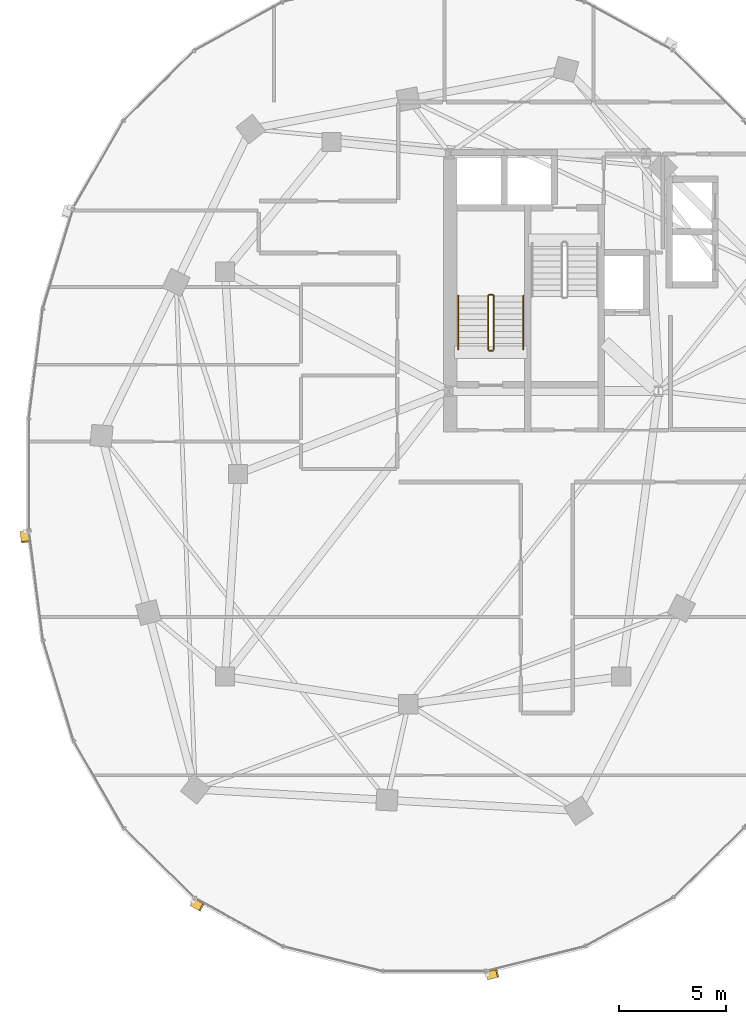
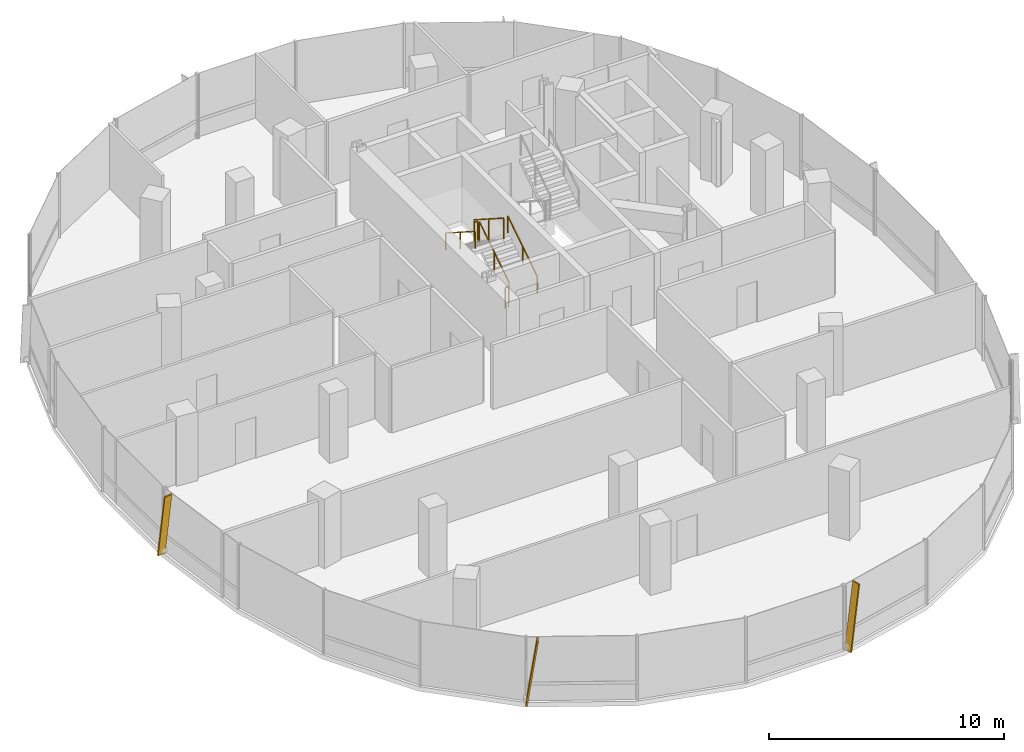
# One storey, part 19 of 23: 6 railings, 3 shading devices.
"""IFC4 building model written with IfcOpenShell, lengths in metres."""

from ifc_helpers import new_model, si_unit, direction, frame, origin, origin_2d, place, context, subcontext, project, spatial, rectangle, extrude, material, material_profile, profile_set, type_object, element, save


model = new_model("IFC4")

# Units and contexts
model_context = context("Model", 3, precision=1e-05, world=origin(), true_north=direction((0.0, 1.0)))
body_context = subcontext(model_context, "Body", "Model", "MODEL_VIEW")
ifc_project = project(units=[si_unit("LENGTHUNIT", "METRE"), si_unit("AREAUNIT", "SQUARE_METRE"), si_unit("VOLUMEUNIT", "CUBIC_METRE"), si_unit("PLANEANGLEUNIT", "RADIAN"), si_unit("MASSUNIT", "GRAM", prefix="KILO"), si_unit("THERMODYNAMICTEMPERATUREUNIT", "KELVIN"), si_unit("POWERUNIT", "WATT")], contexts=[model_context])

# Site, building, storey
site_placement = place(None, origin())
site = spatial("IfcSite", under=ifc_project, at=site_placement, CompositionType="ELEMENT")
building_placement = place(site_placement, origin())
building = spatial("IfcBuilding", under=site, at=building_placement, Name="Cundina Bronze Exchange", CompositionType="ELEMENT")
storey_placement = place(building_placement, frame((0.0, 0.0, 169.199951171875)))
storey = spatial("IfcBuildingStorey", under=building, at=storey_placement, Name="L44", CompositionType="ELEMENT", Elevation=169.199951171875)

# Railings
ifc_material_1 = material(Name="Steel ASTM A36 Painted", Category="steel")
railing_type_1 = type_object("IfcRailingType", Name="RLG-HND-900", PredefinedType="HANDRAIL", material=ifc_material_1)
railing_1_placement = place(storey_placement, frame((-27.7900390625, 5.85009765625, 0.179931640625)))
element("IfcRailing", 1, at=railing_1_placement, inside=storey, type_object=railing_type_1, Name="L44 ST-W1 stair handrail 1", PredefinedType="HANDRAIL", context=body_context, shape_type="SweptSolid", body=[
    extrude(rectangle(XDim=0.048095703125, YDim=0.048095703125, at=origin_2d()), frame((0.0, 0.0, 0.8759765625), z_axis=(0.0, 0.841162588446, 0.540782303519), x_axis=(-1.0, 0.0, 0.0)), (0.0, 0.0, 1.0), 2.995849609375),
    extrude(rectangle(XDim=0.0419921875, YDim=0.0419921875, at=origin_2d()), origin(), (0.0, 0.0, 1.0), 0.851806640625),
    extrude(rectangle(XDim=0.0419921875, YDim=0.0419921875, at=origin_2d()), frame((0.0, 1.260009765625, 0.81005859375)), (0.0, 0.0, 1.0), 0.851806640625),
    extrude(rectangle(XDim=0.0419921875, YDim=0.0419921875, at=origin_2d()), frame((0.0, 2.52001953125, 1.6201171875)), (0.0, 0.0, 1.0), 0.851806640625),
])
railing_2_placement = place(storey_placement, frame((-30.85009765625, 8.3701171875, 1.97998046875)))
element("IfcRailing", 2, at=railing_2_placement, inside=storey, type_object=railing_type_1, Name="L44 ST-W1 stair handrail 2", PredefinedType="HANDRAIL", context=body_context, shape_type="SweptSolid", body=[
    extrude(rectangle(XDim=0.048095703125, YDim=0.048095703125, at=origin_2d()), frame((0.0, 0.0, 0.8759765625), z_axis=(0.0, -0.841162588446, 0.540782303519), x_axis=(1.0, 0.0, 0.0)), (0.0, 0.0, 1.0), 2.995849609375),
    extrude(rectangle(XDim=0.0419921875, YDim=0.0419921875, at=origin_2d()), origin(), (0.0, 0.0, 1.0), 0.851806640625),
    extrude(rectangle(XDim=0.0419921875, YDim=0.0419921875, at=origin_2d()), frame((0.0, -1.260009765625, 0.81005859375)), (0.0, 0.0, 1.0), 0.851806640625),
    extrude(rectangle(XDim=0.0419921875, YDim=0.0419921875, at=origin_2d()), frame((0.0, -2.52001953125, 1.6201171875)), (0.0, 0.0, 1.0), 0.851806640625),
])
railing_type_2 = type_object("IfcRailingType", Name="RLG-STG-1100", PredefinedType="GUARDRAIL", material=ifc_material_1)
railing_3_placement = place(storey_placement, frame((-29.18994140625, 5.85009765625, 0.179931640625)))
element("IfcRailing", 3, at=railing_3_placement, inside=storey, type_object=railing_type_2, Name="L44 ST-W1 stair guard 1", PredefinedType="GUARDRAIL", context=body_context, shape_type="SweptSolid", body=[
    extrude(rectangle(XDim=0.048095703125, YDim=0.048095703125, at=origin_2d()), frame((0.0, 0.0, 1.076171875), z_axis=(0.0, 0.841162588446, 0.540782303519), x_axis=(-1.0, 0.0, 0.0)), (0.0, 0.0, 1.0), 2.995849609375),
    extrude(rectangle(XDim=0.0419921875, YDim=0.0419921875, at=origin_2d()), origin(), (0.0, 0.0, 1.0), 1.052001953125),
    extrude(rectangle(XDim=0.0419921875, YDim=0.0419921875, at=origin_2d()), frame((0.0, 1.260009765625, 0.81005859375)), (0.0, 0.0, 1.0), 1.052001953125),
    extrude(rectangle(XDim=0.0419921875, YDim=0.0419921875, at=origin_2d()), frame((0.0, 2.52001953125, 1.6201171875)), (0.0, 0.0, 1.0), 1.052001953125),
])
railing_4_placement = place(storey_placement, frame((-29.239990234375, 8.419921875, 1.800048828125)))
element("IfcRailing", 4, at=railing_4_placement, inside=storey, type_object=railing_type_2, Name="L44 ST-W1 stair guard 2", PredefinedType="GUARDRAIL", context=body_context, shape_type="SweptSolid", body=[
    extrude(rectangle(XDim=0.048095703125, YDim=0.048095703125, at=origin_2d()), frame((0.0, 0.0, 1.076171875), z_axis=(-1.0, 0.0, 0.0), x_axis=(0.0, -1.0, 0.0)), (0.0, 0.0, 1.0), 0.159912109375),
    extrude(rectangle(XDim=0.0419921875, YDim=0.0419921875, at=origin_2d()), origin(), (0.0, 0.0, 1.0), 1.052001953125),
    extrude(rectangle(XDim=0.0419921875, YDim=0.0419921875, at=origin_2d()), frame((-0.159912109375, 0.0, 0.0)), (0.0, 0.0, 1.0), 1.052001953125),
])
railing_5_placement = place(storey_placement, frame((-29.449951171875, 8.3701171875, 1.97998046875)))
element("IfcRailing", 5, at=railing_5_placement, inside=storey, type_object=railing_type_2, Name="L44 ST-W1 stair guard 3", PredefinedType="GUARDRAIL", context=body_context, shape_type="SweptSolid", body=[
    extrude(rectangle(XDim=0.048095703125, YDim=0.048095703125, at=origin_2d()), frame((0.0, 0.0, 1.076171875), z_axis=(0.0, -0.841162588446, 0.540782303519), x_axis=(1.0, 0.0, 0.0)), (0.0, 0.0, 1.0), 2.995849609375),
    extrude(rectangle(XDim=0.0419921875, YDim=0.0419921875, at=origin_2d()), origin(), (0.0, 0.0, 1.0), 1.052001953125),
    extrude(rectangle(XDim=0.0419921875, YDim=0.0419921875, at=origin_2d()), frame((0.0, -1.260009765625, 0.81005859375)), (0.0, 0.0, 1.0), 1.052001953125),
    extrude(rectangle(XDim=0.0419921875, YDim=0.0419921875, at=origin_2d()), frame((0.0, -2.52001953125, 1.6201171875)), (0.0, 0.0, 1.0), 1.052001953125),
])
railing_6_placement = place(storey_placement, frame((-29.239990234375, 5.800048828125, 0.0)))
element("IfcRailing", 6, at=railing_6_placement, inside=storey, type_object=railing_type_2, Name="L44 ST-W1 stair guard 4", PredefinedType="GUARDRAIL", context=body_context, shape_type="SweptSolid", body=[
    extrude(rectangle(XDim=0.048095703125, YDim=0.048095703125, at=origin_2d()), frame((0.0, 0.0, 1.076171875), z_axis=(-1.0, 0.0, 0.0), x_axis=(0.0, -1.0, 0.0)), (0.0, 0.0, 1.0), 0.159912109375),
    extrude(rectangle(XDim=0.0419921875, YDim=0.0419921875, at=origin_2d()), origin(), (0.0, 0.0, 1.0), 1.052001953125),
    extrude(rectangle(XDim=0.0419921875, YDim=0.0419921875, at=origin_2d()), frame((-0.159912109375, 0.0, 0.0)), (0.0, 0.0, 1.0), 1.052001953125),
])

# Shading devices
ifc_material_2 = material(Name="Anodised Bronze Aluminium 6063-T6", Category="aluminium")
ifc_material_profile = material_profile(ifc_material_2, rectangle(XDim=0.070068359375, YDim=0.3798828125, at=origin_2d()), Name="FIN70X380", Category="aluminium")
ifc_profile_set = profile_set([ifc_material_profile], Name="Anodised Bronze Aluminium 6063-T6")
shading_device_type = type_object("IfcShadingDeviceType", Name="SHD-FIN-BRZ380", PredefinedType="USERDEFINED", material=ifc_profile_set)
for number, where, z_axis, x_axis, name in (
    (7, (-51.23486328125, -2.705810546875, 0.02001953125), (0.018121805099, -0.141917750773, 0.989712560391), (-0.125360789044, 0.981741119016, 0.143070080046), "L44 Diagonal Bronze Solar Fin 1"),
    (8, (-43.320068359375, -20.11181640625, 0.02001953125), (0.125324460949, -0.068993954111, 0.989713905017), (-0.867011652888, 0.477309551067, 0.143060778049), "L44 Diagonal Bronze Solar Fin 5"),
    (9, (-29.48046875, -23.556396484375, 0.02001953125), (0.138788401144, 0.034715294885, 0.989713407007), (-0.960133415413, -0.240159223467, 0.14306422331), "L44 Diagonal Bronze Solar Fin 1"),
):
    element("IfcShadingDevice", number, at=place(storey_placement, frame(where, z_axis=z_axis, x_axis=x_axis)), inside=storey, type_object=shading_device_type, Name=name, ObjectType="FIN", PredefinedType="USERDEFINED", context=body_context, shape_type="SweptSolid", body=[
        extrude(rectangle(XDim=0.070068359375, YDim=0.3798828125, at=origin_2d()), origin(), (0.0, 0.0, 1.0), 3.3544921875),
    ])

save(model, "model.ifc")
